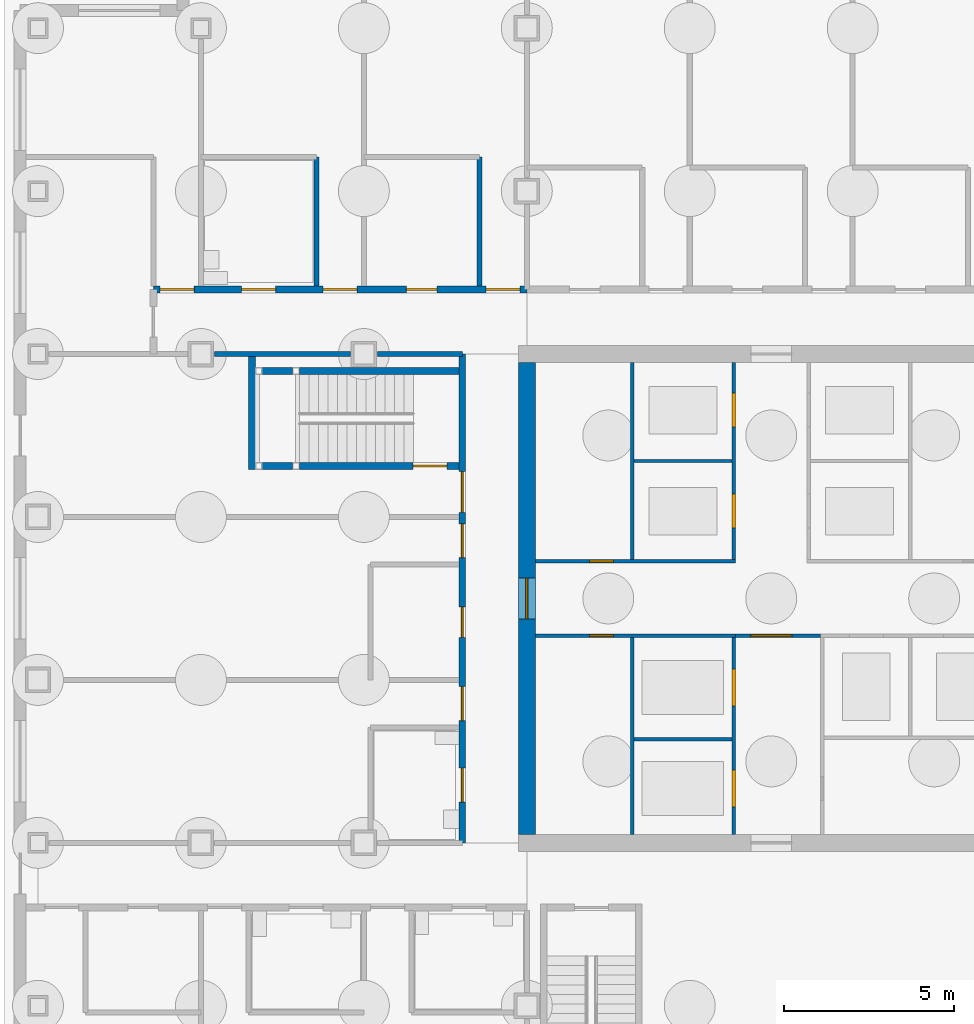
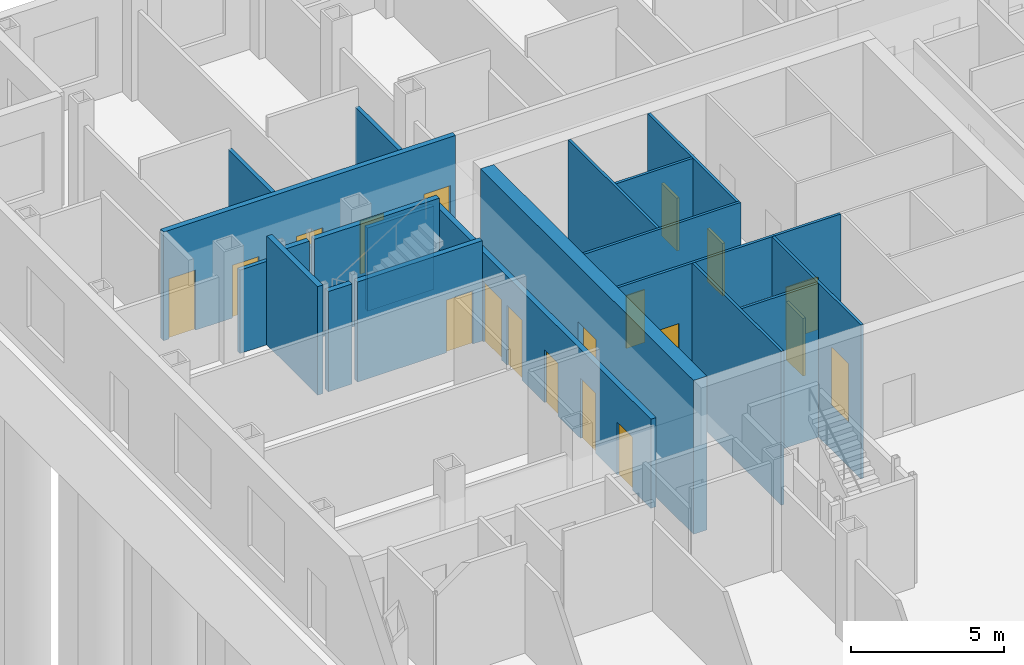
# One storey, part 15 of 22: 21 walls, 19 doors, 19 openings.
"""IFC4 building model written with IfcOpenShell, lengths in metres."""

import ifcopenshell
import ifcopenshell.guid

model = None  # the IFC model being written
_history = None  # IfcOwnerHistory: only IFC2X3 demands one
_inside = {}  # id of a spatial element -> (the spatial element, [elements in it])
_under = {}  # id of a project, library or spatial element -> (it, [spatial elements below it])
_declared = {}  # id of a project -> (the project, [libraries it declares])
_typed = {}  # id of a type object -> (the type object, [elements of that type])
_made_of = {}  # id of a material, layer set ... -> (it, [elements and type objects made of it])


def new_model(schema):
    """Start an empty IFC model of exactly this schema.

    Asked for "IFC4X3", IfcOpenShell would pick the latest addendum, in which some entities
    have other attributes; the version numbers below select the first issue.
    IFC2X3 requires an IfcOwnerHistory on every rooted entity: one is made here for all.
    """
    global model, _history
    if schema == "IFC4X3":
        model = ifcopenshell.file(schema_version=(4, 3, 0, 0))
    else:
        model = ifcopenshell.file(schema=schema)
    _inside.clear()
    _under.clear()
    _declared.clear()
    _typed.clear()
    _made_of.clear()
    _history = None
    if model.schema == "IFC2X3":
        org = make("IfcOrganization", Name="unknown")
        user = make(
            "IfcPersonAndOrganization",
            ThePerson=make("IfcPerson", FamilyName="unknown"),
            TheOrganization=org,
        )
        app = make(
            "IfcApplication",
            ApplicationDeveloper=org,
            Version="unknown",
            ApplicationFullName="unknown",
            ApplicationIdentifier="unknown",
        )
        _history = make(
            "IfcOwnerHistory",
            OwningUser=user,
            OwningApplication=app,
            ChangeAction="ADDED",
            CreationDate=0,
        )
    return model


def make(cls, **values):
    """One entity of the class cls with the attributes given. An attribute that is None is left unset."""
    return model.create_entity(
        cls, **{name: value for name, value in values.items() if value is not None}
    )


def rooted(cls, **values):
    """An entity with a GlobalId (a new one), such as an element, a storey or a relation."""
    return make(cls, GlobalId=ifcopenshell.guid.new(), OwnerHistory=_history, **values)


def si_unit(unit_type, name, prefix=None):
    """IfcSIUnit, for example si_unit("LENGTHUNIT", "METRE", prefix="MILLI")."""
    return make("IfcSIUnit", UnitType=unit_type, Prefix=prefix, Name=name)


def assignment(units):
    """IfcUnitAssignment: the units of a project."""
    return None if units is None else make("IfcUnitAssignment", Units=units)


def point(xyz):
    """IfcCartesianPoint."""
    return None if xyz is None else make("IfcCartesianPoint", Coordinates=xyz)


def direction(xyz):
    """IfcDirection."""
    return None if xyz is None else make("IfcDirection", DirectionRatios=xyz)


def frame(location, z_axis=None, x_axis=None):
    """IfcAxis2Placement3D, a coordinate frame: its origin and axes. An axis left out is left unset."""
    return make(
        "IfcAxis2Placement3D",
        Location=point(location),
        Axis=direction(z_axis),
        RefDirection=direction(x_axis),
    )


def frame_2d(location, x_axis=None):
    """IfcAxis2Placement2D, a coordinate frame in the plane: its origin and x axis."""
    return make(
        "IfcAxis2Placement2D", Location=point(location), RefDirection=direction(x_axis)
    )


def origin():
    """The frame at (0, 0, 0) with its axes left unset."""
    return frame((0.0, 0.0, 0.0))


def place(relative_to, where):
    """IfcLocalPlacement: puts the frame where relative to a parent placement (None: the world)."""
    return make(
        "IfcLocalPlacement", PlacementRelTo=relative_to, RelativePlacement=where
    )


def context(
    kind, dimensions, precision=None, world=None, true_north=None, identifier=None
):
    """IfcGeometricRepresentationContext, for example the 3D "Model" context."""
    return make(
        "IfcGeometricRepresentationContext",
        ContextIdentifier=identifier,
        ContextType=kind,
        CoordinateSpaceDimension=dimensions,
        Precision=precision,
        WorldCoordinateSystem=world,
        TrueNorth=true_north,
    )


def subcontext(parent, identifier, kind, view, scale=None):
    """IfcGeometricRepresentationSubContext, for example "Body" below "Model"."""
    return make(
        "IfcGeometricRepresentationSubContext",
        ContextIdentifier=identifier,
        ContextType=kind,
        ParentContext=parent,
        TargetScale=scale,
        TargetView=view,
    )


def project(units=None, contexts=None):
    """IfcProject with its units and contexts."""
    return rooted(
        "IfcProject",
        Name="project",
        RepresentationContexts=contexts,
        UnitsInContext=assignment(units),
    )


def spatial(cls, under=None, at=None, **own):
    """A site, building, storey or space (cls), placed at a placement, below another one or the project."""
    s = rooted(cls, ObjectPlacement=at, **own)
    if under is not None:
        _under.setdefault(under.id(), (under, []))[1].append(s)
    return s


def profile(cls, at=None, kind="AREA", **sizes):
    """A parametric profile (cls). Its sizes go by their IFC names, for example OverallWidth=200.0."""
    return make(cls, ProfileType=kind, Position=at, **sizes)


def rectangle(**sizes):
    """IfcRectangleProfileDef."""
    return profile("IfcRectangleProfileDef", **sizes)


def extrude(swept, where, along, depth):
    """IfcExtrudedAreaSolid: the profile swept, set in the frame where, extruded along a direction by depth."""
    return make(
        "IfcExtrudedAreaSolid",
        SweptArea=swept,
        Position=where,
        ExtrudedDirection=direction(along),
        Depth=depth,
    )


def shape(context_of_items, identifier, shape_type, items):
    """IfcShapeRepresentation: the items that make up one representation, for example the "Body"."""
    return make(
        "IfcShapeRepresentation",
        ContextOfItems=context_of_items,
        RepresentationIdentifier=identifier,
        RepresentationType=shape_type,
        Items=items,
    )


def material(Name=None, Category=None):
    """IfcMaterial."""
    return make("IfcMaterial", Name=Name, Category=Category)


def layer(
    of_material, thickness, ventilated=None, Name=None, Category=None, Priority=None
):
    """IfcMaterialLayer: one layer of a wall or slab, of a material (None: an air gap)."""
    return make(
        "IfcMaterialLayer",
        Material=of_material,
        LayerThickness=thickness,
        IsVentilated=ventilated,
        Name=Name,
        Category=Category,
        Priority=Priority,
    )


def layer_set(layers, Name=None):
    """IfcMaterialLayerSet."""
    return make("IfcMaterialLayerSet", MaterialLayers=layers, LayerSetName=Name)


def made_of(thing, what):
    """Note that an element or type object is made of a material, layer set ...; save() writes the relation."""
    if what is not None:
        _made_of.setdefault(what.id(), (what, []))[1].append(thing)
    return thing


def type_object(cls, material=None, **own):
    """A type object (cls), such as IfcWallType, which elements share."""
    return made_of(rooted(cls, **own), material)


def element(
    cls,
    number,
    at=None,
    inside=None,
    cuts=None,
    type_object=None,
    material=None,
    context=None,
    identifier="Body",
    shape_type=None,
    held_by="IfcProductDefinitionShape",
    body=None,
    shapes=None,
    **own,
):
    """One element of the class cls, such as IfcWall. Its Tag is "e" and its number.

    at: its placement. inside: the storey or other place that contains it. cuts: it is an
    opening in that element (IfcRelVoidsElement). A single representation is given by context,
    identifier, shape_type and body (its items); several are given by shapes. held_by: the class
    of the entity that holds the representations. save() writes the other relations.
    """
    e = rooted(cls, Tag="e%d" % number, ObjectPlacement=at, **own)
    if body is not None:
        shapes = [shape(context, identifier, shape_type, body)]
    if shapes is not None:
        e.Representation = make(held_by, Representations=shapes)
    if inside is not None:
        _inside.setdefault(inside.id(), (inside, []))[1].append(e)
    if cuts is not None:
        rooted(
            "IfcRelVoidsElement", RelatingBuildingElement=cuts, RelatedOpeningElement=e
        )
    if type_object is not None:
        _typed.setdefault(type_object.id(), (type_object, []))[1].append(e)
    return made_of(e, material)


def fill(opening, filler):
    """IfcRelFillsElement: the door or window that sits in an opening."""
    return rooted(
        "IfcRelFillsElement",
        RelatingOpeningElement=opening,
        RelatedBuildingElement=filler,
    )


def aggregate(whole, parts):
    """IfcRelAggregates: a whole, such as a stair, and the parts it consists of."""
    return rooted("IfcRelAggregates", RelatingObject=whole, RelatedObjects=parts)


def save(model, path):
    """Write the relations noted so far, then the file.

    IfcRelAggregates (storeys below a building ...), IfcRelContainedInSpatialStructure (elements
    in a storey), IfcRelDefinesByType, IfcRelAssociatesMaterial and IfcRelDeclares: one each for
    every whole, place, type object, material and project.
    """
    for whole, parts in _under.values():
        aggregate(whole, parts)
    for where, things in _inside.values():
        rooted(
            "IfcRelContainedInSpatialStructure",
            RelatedElements=things,
            RelatingStructure=where,
        )
    for kind, things in _typed.values():
        rooted("IfcRelDefinesByType", RelatedObjects=things, RelatingType=kind)
    for what, things in _made_of.values():
        rooted("IfcRelAssociatesMaterial", RelatedObjects=things, RelatingMaterial=what)
    for by, libraries in _declared.values():
        rooted("IfcRelDeclares", RelatingContext=by, RelatedDefinitions=libraries)
    model.write(path)


model = new_model("IFC4")

# Units and contexts
model_context = context("Model", 3, precision=1e-05, world=origin(), true_north=direction((0.0, 1.0)))
body_context = subcontext(model_context, "Body", "Model", "MODEL_VIEW")
ifc_project = project(units=[si_unit("LENGTHUNIT", "METRE"), si_unit("AREAUNIT", "SQUARE_METRE"), si_unit("VOLUMEUNIT", "CUBIC_METRE"), si_unit("PLANEANGLEUNIT", "RADIAN"), si_unit("MASSUNIT", "GRAM", prefix="KILO")], contexts=[model_context])

# Site, building, storey
site_placement = place(None, origin())
site = spatial("IfcSite", under=ifc_project, at=site_placement, CompositionType="ELEMENT")
building_placement = place(site_placement, origin())
building = spatial("IfcBuilding", under=site, at=building_placement, Name="Kvirike Care Tower", CompositionType="ELEMENT")
storey_placement = place(building_placement, origin())
storey = spatial("IfcBuildingStorey", under=building, at=storey_placement, Name="L00", CompositionType="ELEMENT", Elevation=0.0)

# Walls
ifc_material_1 = material(Name="Plasterboard partition", Category="gypsum")
ifc_layer_1 = layer(ifc_material_1, 0.14990234375)
ifc_layer_set_1 = layer_set([ifc_layer_1], Name="CLINIC PARTITION 150")
wall_type_1 = type_object("IfcWallType", Name="CLINIC PARTITION 150", PredefinedType="PARTITIONING", material=ifc_layer_set_1)
for number, where, z_axis, x_axis, name in (
    (1, (13.0, 49.0, 0.0), (0.0, 0.0, 1.0), (0.0, -1.0, 0.0), "Clinic Partition 150 L00"),
    (2, (8.199951171875, 49.0, 0.0), (0.0, 0.0, 1.0), (0.0, -1.0, 0.0), "Clinic Partition 150 L00"),
):
    element("IfcWall", number, at=place(storey_placement, frame(where, z_axis=z_axis, x_axis=x_axis)), inside=storey, type_object=wall_type_1, Name=name, PredefinedType="PARTITIONING", context=body_context, shape_type="SweptSolid", body=[
        extrude(rectangle(XDim=3.800048828125, YDim=0.14990234375, at=frame_2d((1.89990234375, 0.0))), origin(), (0.0, 0.0, 1.0), 3.550048828125),
    ])
wall_1_placement = place(storey_placement, frame((12.5, 43.199951171875, 0.0), z_axis=(0.0, 0.0, 1.0), x_axis=(-1.0, 0.0, 0.0)))
element("IfcWall", 3, at=wall_1_placement, inside=storey, type_object=wall_type_1, Name="Clinic Partition 150 L00", PredefinedType="PARTITIONING", context=body_context, shape_type="SweptSolid", body=[
    extrude(rectangle(XDim=2.5048828125, YDim=0.14990234375, at=frame_2d((1.25244140625, 0.0))), origin(), (0.0, 0.0, 1.0), 3.320068359375),
])
wall_2_placement = place(storey_placement, frame((9.205078125, 43.199951171875, 0.0), z_axis=(0.0, 0.0, 1.0), x_axis=(-1.0, 0.0, 0.0)))
element("IfcWall", 4, at=wall_2_placement, inside=storey, type_object=wall_type_1, Name="Clinic Partition 150 L00", PredefinedType="PARTITIONING", context=body_context, shape_type="SweptSolid", body=[
    extrude(rectangle(XDim=4.010009765625, YDim=0.14990234375, at=frame_2d((2.0048828125, 0.0))), origin(), (0.0, 0.0, 1.0), 3.320068359375),
])

# Wall, opening, door
ifc_material_2 = material(Name="Concrete C60/75", Category="concrete")
ifc_layer_2 = layer(ifc_material_2, 0.5)
ifc_layer_set_2 = layer_set([ifc_layer_2], Name="CORE WALL 500 C60-75")
wall_type_2 = type_object("IfcWallType", Name="CORE WALL 500 C60-75", PredefinedType="SHEAR", material=ifc_layer_set_2)
wall_3_placement = place(storey_placement, frame((14.39990234375, 42.949951171875, -1.800048828125), z_axis=(0.0, 0.0, 1.0), x_axis=(0.0, -1.0, 0.0)))
wall_3 = element("IfcWall", 5, at=wall_3_placement, inside=storey, type_object=wall_type_2, Name="Core wall W L00", PredefinedType="SHEAR", context=body_context, shape_type="SweptSolid", body=[
    extrude(rectangle(XDim=13.89990234375, YDim=0.5, at=frame_2d((6.949951171875, 0.0))), origin(), (0.0, 0.0, 1.0), 6.130126953125),
])
opening_1_placement = place(wall_3_placement, frame((6.35009765625, 0.0, 1.800048828125)))
opening_1 = element("IfcOpeningElement", 6, at=opening_1_placement, cuts=wall_3, Name="Opening 00-061", PredefinedType="OPENING", context=body_context, shape_type="SweptSolid", body=[
    extrude(rectangle(XDim=1.199951171875, YDim=2.10009765625, at=frame_2d((0.60009765625, 1.050048828125))), frame((0.0, 0.260498046875, 0.0), z_axis=(0.0, -1.0, 0.0), x_axis=(1.0, 0.0, 0.0)), (0.0, 0.0, 1.0), 0.52099609375),
])
ifc_material_3 = material(Name="Timber door set", Category="wood")
door_type_1 = type_object("IfcDoorType", Name="CORE DOOR 1200", OperationType="SINGLE_SWING_LEFT", PredefinedType="DOOR", material=ifc_material_3)
door_1_placement = place(opening_1_placement, origin())
door_1 = element("IfcDoor", 7, at=door_1_placement, inside=storey, type_object=door_type_1, Name="Core door W L00", OperationType="SINGLE_SWING_LEFT", OverallHeight=2.10009765625, OverallWidth=1.199951171875, PredefinedType="DOOR", context=body_context, shape_type="SweptSolid", body=[
    extrude(rectangle(XDim=1.199951171875, YDim=2.10009765625, at=frame_2d((0.60009765625, 1.050048828125))), frame((0.0, 0.02685546875, 0.0), z_axis=(0.0, -1.0, 0.0), x_axis=(1.0, 0.0, 0.0)), (0.0, 0.0, 1.0), 0.053955078125),
])
fill(opening_1, door_1)

# Wall, openings, doors
ifc_material_4 = material(Name="Plasterboard corridor wall", Category="gypsum")
ifc_layer_3 = layer(ifc_material_4, 0.199951171875)
ifc_layer_set_3 = layer_set([ifc_layer_3], Name="CORRIDOR WALL 200")
wall_type_3 = type_object("IfcWallType", Name="CORRIDOR WALL 200", PredefinedType="PARTITIONING", material=ifc_layer_set_3)
wall_4_placement = place(storey_placement, frame((12.5, 43.199951171875, 0.0), z_axis=(0.0, 0.0, 1.0), x_axis=(0.0, -1.0, 0.0)))
wall_4 = element("IfcWall", 8, at=wall_4_placement, inside=storey, type_object=wall_type_3, Name="Corridor Wall 200 L00", PredefinedType="PARTITIONING", context=body_context, shape_type="SweptSolid", body=[
    extrude(rectangle(XDim=14.39990234375, YDim=0.199951171875, at=frame_2d((7.199951171875, 0.0))), origin(), (0.0, 0.0, 1.0), 3.550048828125),
])
opening_2_placement = place(wall_4_placement, frame((3.46240234375, 0.0, 0.0)))
opening_2 = element("IfcOpeningElement", 9, at=opening_2_placement, cuts=wall_4, Name="Opening 00-008", PredefinedType="OPENING", context=body_context, shape_type="SweptSolid", body=[
    extrude(rectangle(XDim=1.199951171875, YDim=2.39990234375, at=frame_2d((0.60009765625, 1.199951171875))), frame((0.0, 0.110595703125, 0.0), z_axis=(0.0, -1.0, 0.0), x_axis=(1.0, 0.0, 0.0)), (0.0, 0.0, 1.0), 0.220947265625),
])
opening_3_placement = place(wall_4_placement, frame((5.0, 0.0, 0.0)))
opening_3 = element("IfcOpeningElement", 10, at=opening_3_placement, cuts=wall_4, Name="Opening 00-009", PredefinedType="OPENING", context=body_context, shape_type="SweptSolid", body=[
    extrude(rectangle(XDim=1.0, YDim=2.39990234375, at=frame_2d((0.5, 1.199951171875))), frame((0.0, 0.110595703125, 0.0), z_axis=(0.0, -1.0, 0.0), x_axis=(1.0, 0.0, 0.0)), (0.0, 0.0, 1.0), 0.220947265625),
])
opening_4_placement = place(wall_4_placement, frame((9.800048828125, 0.0, 0.0)))
opening_4 = element("IfcOpeningElement", 11, at=opening_4_placement, cuts=wall_4, Name="Opening 00-010", PredefinedType="OPENING", context=body_context, shape_type="SweptSolid", body=[
    extrude(rectangle(XDim=1.0, YDim=2.39990234375, at=frame_2d((0.5, 1.199951171875))), frame((0.0, 0.110595703125, 0.0), z_axis=(0.0, -1.0, 0.0), x_axis=(1.0, 0.0, 0.0)), (0.0, 0.0, 1.0), 0.220947265625),
])
opening_5_placement = place(wall_4_placement, frame((7.449951171875, 0.0, 0.0)))
opening_5 = element("IfcOpeningElement", 12, at=opening_5_placement, cuts=wall_4, Name="Opening 00-011", PredefinedType="OPENING", context=body_context, shape_type="SweptSolid", body=[
    extrude(rectangle(XDim=0.89990234375, YDim=2.10009765625, at=frame_2d((0.449951171875, 1.050048828125))), frame((0.0, 0.110595703125, 0.0), z_axis=(0.0, -1.0, 0.0), x_axis=(1.0, 0.0, 0.0)), (0.0, 0.0, 1.0), 0.220947265625),
])
opening_6_placement = place(wall_4_placement, frame((12.199951171875, 0.0, 0.0)))
opening_6 = element("IfcOpeningElement", 13, at=opening_6_placement, cuts=wall_4, Name="Opening 00-012", PredefinedType="OPENING", context=body_context, shape_type="SweptSolid", body=[
    extrude(rectangle(XDim=1.0, YDim=2.10009765625, at=frame_2d((0.5, 1.050048828125))), frame((0.0, 0.110595703125, 0.0), z_axis=(0.0, -1.0, 0.0), x_axis=(1.0, 0.0, 0.0)), (0.0, 0.0, 1.0), 0.220947265625),
])
ifc_material_5 = material(Name="Timber door set", Category="wood")
door_type_2 = type_object("IfcDoorType", Name="CONSULTING ROOM DOOR 1000", OperationType="SINGLE_SWING_LEFT", PredefinedType="DOOR", material=ifc_material_5)
door_2_placement = place(opening_3_placement, frame((1.0, 0.0, 0.0), z_axis=(0.0, 0.0, 1.0), x_axis=(-1.0, 0.0, 0.0)))
door_2 = element("IfcDoor", 14, at=door_2_placement, inside=storey, type_object=door_type_2, Name="Mail room door", OperationType="SINGLE_SWING_LEFT", OverallHeight=2.39990234375, OverallWidth=1.0, PredefinedType="DOOR", context=body_context, shape_type="SweptSolid", body=[
    extrude(rectangle(XDim=1.0, YDim=2.39990234375, at=frame_2d((0.5, 1.199951171875))), frame((0.0, 0.02685546875, 0.0), z_axis=(0.0, -1.0, 0.0), x_axis=(1.0, 0.0, 0.0)), (0.0, 0.0, 1.0), 0.053955078125),
])
fill(opening_3, door_2)
door_3_placement = place(opening_4_placement, frame((1.0, 0.0, 0.0), z_axis=(0.0, 0.0, 1.0), x_axis=(-1.0, 0.0, 0.0)))
door_3 = element("IfcDoor", 15, at=door_3_placement, inside=storey, type_object=door_type_2, Name="Concierge office door", OperationType="SINGLE_SWING_LEFT", OverallHeight=2.39990234375, OverallWidth=1.0, PredefinedType="DOOR", context=body_context, shape_type="SweptSolid", body=[
    extrude(rectangle(XDim=1.0, YDim=2.39990234375, at=frame_2d((0.5, 1.199951171875))), frame((0.0, 0.02685546875, 0.0), z_axis=(0.0, -1.0, 0.0), x_axis=(1.0, 0.0, 0.0)), (0.0, 0.0, 1.0), 0.053955078125),
])
fill(opening_4, door_3)
ifc_material_6 = material(Name="Timber door set", Category="wood")
door_type_3 = type_object("IfcDoorType", Name="EXIT DOOR 1200", OperationType="SINGLE_SWING_LEFT", PredefinedType="DOOR", material=ifc_material_6)
door_4_placement = place(opening_2_placement, origin())
door_4 = element("IfcDoor", 16, at=door_4_placement, inside=storey, type_object=door_type_3, Name="Exit passage door", OperationType="SINGLE_SWING_RIGHT", OverallHeight=2.39990234375, OverallWidth=1.199951171875, PredefinedType="DOOR", context=body_context, shape_type="SweptSolid", body=[
    extrude(rectangle(XDim=1.199951171875, YDim=2.39990234375, at=frame_2d((0.60009765625, 1.199951171875))), frame((0.0, 0.02685546875, 0.0), z_axis=(0.0, -1.0, 0.0), x_axis=(1.0, 0.0, 0.0)), (0.0, 0.0, 1.0), 0.053955078125),
])
fill(opening_2, door_4)
ifc_material_7 = material(Name="Timber door set", Category="wood")
door_type_4 = type_object("IfcDoorType", Name="STORE DOOR 900", OperationType="SINGLE_SWING_LEFT", PredefinedType="DOOR", material=ifc_material_7)
door_5_placement = place(opening_5_placement, frame((0.89990234375, 0.0, 0.0), z_axis=(0.0, 0.0, 1.0), x_axis=(-1.0, 0.0, 0.0)))
door_5 = element("IfcDoor", 17, at=door_5_placement, inside=storey, type_object=door_type_4, Name="Store door", OperationType="SINGLE_SWING_LEFT", OverallHeight=2.10009765625, OverallWidth=0.89990234375, PredefinedType="DOOR", context=body_context, shape_type="SweptSolid", body=[
    extrude(rectangle(XDim=0.89990234375, YDim=2.10009765625, at=frame_2d((0.449951171875, 1.050048828125))), frame((0.0, 0.02685546875, 0.0), z_axis=(0.0, -1.0, 0.0), x_axis=(1.0, 0.0, 0.0)), (0.0, 0.0, 1.0), 0.053955078125),
])
fill(opening_5, door_5)
ifc_material_8 = material(Name="Timber door set", Category="wood")
door_type_5 = type_object("IfcDoorType", Name="WC DOOR 1000", OperationType="SINGLE_SWING_LEFT", PredefinedType="DOOR", material=ifc_material_8)
door_6_placement = place(opening_6_placement, frame((1.0, 0.0, 0.0), z_axis=(0.0, 0.0, 1.0), x_axis=(-1.0, 0.0, 0.0)))
door_6 = element("IfcDoor", 18, at=door_6_placement, inside=storey, type_object=door_type_5, Name="Staff WC door", OperationType="SINGLE_SWING_RIGHT", OverallHeight=2.10009765625, OverallWidth=1.0, PredefinedType="DOOR", context=body_context, shape_type="SweptSolid", body=[
    extrude(rectangle(XDim=1.0, YDim=2.10009765625, at=frame_2d((0.5, 1.050048828125))), frame((0.0, 0.02685546875, 0.0), z_axis=(0.0, -1.0, 0.0), x_axis=(1.0, 0.0, 0.0)), (0.0, 0.0, 1.0), 0.053955078125),
])
fill(opening_6, door_6)

wall_5_placement = place(storey_placement, frame((14.39990234375, 45.10009765625, 0.0), z_axis=(0.0, 0.0, 1.0), x_axis=(-1.0, 0.0, 0.0)))
wall_5 = element("IfcWall", 19, at=wall_5_placement, inside=storey, type_object=wall_type_3, Name="Corridor Wall 200 L00", PredefinedType="PARTITIONING", context=body_context, shape_type="SweptSolid", body=[
    extrude(rectangle(XDim=11.0, YDim=0.199951171875, at=frame_2d((5.5, 0.0))), origin(), (0.0, 0.0, 1.0), 4.330078125),
])
opening_7_placement = place(wall_5_placement, frame((0.199951171875, 0.0, 0.0)))
opening_7 = element("IfcOpeningElement", 20, at=opening_7_placement, cuts=wall_5, Name="Opening 00-013", PredefinedType="OPENING", context=body_context, shape_type="SweptSolid", body=[
    extrude(rectangle(XDim=1.0, YDim=2.39990234375, at=frame_2d((0.5, 1.199951171875))), frame((0.0, 0.110595703125, 0.0), z_axis=(0.0, -1.0, 0.0), x_axis=(1.0, 0.0, 0.0)), (0.0, 0.0, 1.0), 0.220947265625),
])
opening_8_placement = place(wall_5_placement, frame((5.0, 0.0, 0.0)))
opening_8 = element("IfcOpeningElement", 21, at=opening_8_placement, cuts=wall_5, Name="Opening 00-014", PredefinedType="OPENING", context=body_context, shape_type="SweptSolid", body=[
    extrude(rectangle(XDim=1.0, YDim=2.39990234375, at=frame_2d((0.5, 1.199951171875))), frame((0.0, 0.110595703125, 0.0), z_axis=(0.0, -1.0, 0.0), x_axis=(1.0, 0.0, 0.0)), (0.0, 0.0, 1.0), 0.220947265625),
])
opening_9_placement = place(wall_5_placement, frame((9.800048828125, 0.0, 0.0)))
opening_9 = element("IfcOpeningElement", 22, at=opening_9_placement, cuts=wall_5, Name="Opening 00-015", PredefinedType="OPENING", context=body_context, shape_type="SweptSolid", body=[
    extrude(rectangle(XDim=1.0, YDim=2.39990234375, at=frame_2d((0.5, 1.199951171875))), frame((0.0, 0.110595703125, 0.0), z_axis=(0.0, -1.0, 0.0), x_axis=(1.0, 0.0, 0.0)), (0.0, 0.0, 1.0), 0.220947265625),
])
opening_10_placement = place(wall_5_placement, frame((2.64990234375, 0.0, 0.0)))
opening_10 = element("IfcOpeningElement", 23, at=opening_10_placement, cuts=wall_5, Name="Opening 00-016", PredefinedType="OPENING", context=body_context, shape_type="SweptSolid", body=[
    extrude(rectangle(XDim=0.89990234375, YDim=2.10009765625, at=frame_2d((0.449951171875, 1.050048828125))), frame((0.0, 0.110595703125, 0.0), z_axis=(0.0, -1.0, 0.0), x_axis=(1.0, 0.0, 0.0)), (0.0, 0.0, 1.0), 0.220947265625),
])
opening_11_placement = place(wall_5_placement, frame((7.39990234375, 0.0, 0.0)))
opening_11 = element("IfcOpeningElement", 24, at=opening_11_placement, cuts=wall_5, Name="Opening 00-017", PredefinedType="OPENING", context=body_context, shape_type="SweptSolid", body=[
    extrude(rectangle(XDim=1.0, YDim=2.10009765625, at=frame_2d((0.5, 1.050048828125))), frame((0.0, 0.110595703125, 0.0), z_axis=(0.0, -1.0, 0.0), x_axis=(1.0, 0.0, 0.0)), (0.0, 0.0, 1.0), 0.220947265625),
])
door_7_placement = place(opening_7_placement, frame((1.0, 0.0, 0.0), z_axis=(0.0, 0.0, 1.0), x_axis=(-1.0, 0.0, 0.0)))
door_7 = element("IfcDoor", 25, at=door_7_placement, inside=storey, type_object=door_type_2, Name="Staff changing room door", OperationType="SINGLE_SWING_RIGHT", OverallHeight=2.39990234375, OverallWidth=1.0, PredefinedType="DOOR", context=body_context, shape_type="SweptSolid", body=[
    extrude(rectangle(XDim=1.0, YDim=2.39990234375, at=frame_2d((0.5, 1.199951171875))), frame((0.0, 0.02685546875, 0.0), z_axis=(0.0, -1.0, 0.0), x_axis=(1.0, 0.0, 0.0)), (0.0, 0.0, 1.0), 0.053955078125),
])
fill(opening_7, door_7)
door_8_placement = place(opening_8_placement, frame((1.0, 0.0, 0.0), z_axis=(0.0, 0.0, 1.0), x_axis=(-1.0, 0.0, 0.0)))
door_8 = element("IfcDoor", 26, at=door_8_placement, inside=storey, type_object=door_type_2, Name="Staff changing room door", OperationType="SINGLE_SWING_LEFT", OverallHeight=2.39990234375, OverallWidth=1.0, PredefinedType="DOOR", context=body_context, shape_type="SweptSolid", body=[
    extrude(rectangle(XDim=1.0, YDim=2.39990234375, at=frame_2d((0.5, 1.199951171875))), frame((0.0, 0.02685546875, 0.0), z_axis=(0.0, -1.0, 0.0), x_axis=(1.0, 0.0, 0.0)), (0.0, 0.0, 1.0), 0.053955078125),
])
fill(opening_8, door_8)
door_9_placement = place(opening_9_placement, frame((1.0, 0.0, 0.0), z_axis=(0.0, 0.0, 1.0), x_axis=(-1.0, 0.0, 0.0)))
door_9 = element("IfcDoor", 27, at=door_9_placement, inside=storey, type_object=door_type_2, Name="Staff rest room door", OperationType="SINGLE_SWING_LEFT", OverallHeight=2.39990234375, OverallWidth=1.0, PredefinedType="DOOR", context=body_context, shape_type="SweptSolid", body=[
    extrude(rectangle(XDim=1.0, YDim=2.39990234375, at=frame_2d((0.5, 1.199951171875))), frame((0.0, 0.02685546875, 0.0), z_axis=(0.0, -1.0, 0.0), x_axis=(1.0, 0.0, 0.0)), (0.0, 0.0, 1.0), 0.053955078125),
])
fill(opening_9, door_9)
door_10_placement = place(opening_10_placement, frame((0.89990234375, 0.0, 0.0), z_axis=(0.0, 0.0, 1.0), x_axis=(-1.0, 0.0, 0.0)))
door_10 = element("IfcDoor", 28, at=door_10_placement, inside=storey, type_object=door_type_4, Name="Store door", OperationType="SINGLE_SWING_LEFT", OverallHeight=2.10009765625, OverallWidth=0.89990234375, PredefinedType="DOOR", context=body_context, shape_type="SweptSolid", body=[
    extrude(rectangle(XDim=0.89990234375, YDim=2.10009765625, at=frame_2d((0.449951171875, 1.050048828125))), frame((0.0, 0.02685546875, 0.0), z_axis=(0.0, -1.0, 0.0), x_axis=(1.0, 0.0, 0.0)), (0.0, 0.0, 1.0), 0.053955078125),
])
fill(opening_10, door_10)
door_11_placement = place(opening_11_placement, frame((1.0, 0.0, 0.0), z_axis=(0.0, 0.0, 1.0), x_axis=(-1.0, 0.0, 0.0)))
door_11 = element("IfcDoor", 29, at=door_11_placement, inside=storey, type_object=door_type_5, Name="Staff WC door", OperationType="SINGLE_SWING_RIGHT", OverallHeight=2.10009765625, OverallWidth=1.0, PredefinedType="DOOR", context=body_context, shape_type="SweptSolid", body=[
    extrude(rectangle(XDim=1.0, YDim=2.10009765625, at=frame_2d((0.5, 1.050048828125))), frame((0.0, 0.02685546875, 0.0), z_axis=(0.0, -1.0, 0.0), x_axis=(1.0, 0.0, 0.0)), (0.0, 0.0, 1.0), 0.053955078125),
])
fill(opening_11, door_11)

ifc_material_9 = material(Name="Gypsum shaft wall system", Category="gypsum")
ifc_layer_4 = layer(ifc_material_9, 0.10009765625)
ifc_layer_set_4 = layer_set([ifc_layer_4], Name="SHAFT WALL 100")
wall_type_4 = type_object("IfcWallType", Name="SHAFT WALL 100", PredefinedType="SOLIDWALL", material=ifc_layer_set_4)
wall_6_placement = place(storey_placement, frame((20.5, 29.050048828125, -1.800048828125), z_axis=(0.0, 0.0, 1.0), x_axis=(0.0, 1.0, 0.0)))
wall_6 = element("IfcWall", 30, at=wall_6_placement, inside=storey, type_object=wall_type_4, Name="Shaft Wall 100 L00", PredefinedType="SOLIDWALL", context=body_context, shape_type="SweptSolid", body=[
    extrude(rectangle(XDim=5.800048828125, YDim=0.10009765625, at=frame_2d((2.89990234375, 0.0))), origin(), (0.0, 0.0, 1.0), 6.130126953125),
])
opening_12_placement = place(wall_6_placement, frame((0.800048828125, 0.0, 1.800048828125)))
opening_12 = element("IfcOpeningElement", 31, at=opening_12_placement, cuts=wall_6, Name="Opening 00-044", PredefinedType="OPENING", context=body_context, shape_type="SweptSolid", body=[
    extrude(rectangle(XDim=1.10009765625, YDim=2.300048828125, at=frame_2d((0.550048828125, 1.14990234375))), frame((0.0, 0.060546875, 0.0), z_axis=(0.0, -1.0, 0.0), x_axis=(1.0, 0.0, 0.0)), (0.0, 0.0, 1.0), 0.12109375),
])
opening_13_placement = place(wall_6_placement, frame((3.77490234375, 0.0, 1.800048828125)))
opening_13 = element("IfcOpeningElement", 32, at=opening_13_placement, cuts=wall_6, Name="Opening 00-045", PredefinedType="OPENING", context=body_context, shape_type="SweptSolid", body=[
    extrude(rectangle(XDim=1.10009765625, YDim=2.300048828125, at=frame_2d((0.550048828125, 1.14990234375))), frame((0.0, 0.060546875, 0.0), z_axis=(0.0, -1.0, 0.0), x_axis=(1.0, 0.0, 0.0)), (0.0, 0.0, 1.0), 0.12109375),
])
ifc_material_10 = material(Name="Aluminium door frame", Category="aluminium")
door_type_6 = type_object("IfcDoorType", Name="FIRE-FIGHTING LIFT LANDING DOOR 1100", OperationType="SLIDING_TO_LEFT", PredefinedType="DOOR", material=ifc_material_10)
door_12_placement = place(opening_12_placement, origin())
door_12 = element("IfcDoor", 33, at=door_12_placement, inside=storey, type_object=door_type_6, Name="Lift FF1 landing door", OperationType="SLIDING_TO_LEFT", OverallHeight=2.300048828125, OverallWidth=1.10009765625, PredefinedType="DOOR", context=body_context, shape_type="SweptSolid", body=[
    extrude(rectangle(XDim=1.10009765625, YDim=2.300048828125, at=frame_2d((0.550048828125, 1.14990234375))), frame((0.0, 0.0498046875, 0.0), z_axis=(0.0, -1.0, 0.0), x_axis=(1.0, 0.0, 0.0)), (0.0, 0.0, 1.0), 0.099609375),
])
fill(opening_12, door_12)
door_13_placement = place(opening_13_placement, origin())
door_13 = element("IfcDoor", 34, at=door_13_placement, inside=storey, type_object=door_type_6, Name="Lift FF2 landing door", OperationType="SLIDING_TO_LEFT", OverallHeight=2.300048828125, OverallWidth=1.10009765625, PredefinedType="DOOR", context=body_context, shape_type="SweptSolid", body=[
    extrude(rectangle(XDim=1.10009765625, YDim=2.300048828125, at=frame_2d((0.550048828125, 1.14990234375))), frame((0.0, 0.0498046875, 0.0), z_axis=(0.0, -1.0, 0.0), x_axis=(1.0, 0.0, 0.0)), (0.0, 0.0, 1.0), 0.099609375),
])
fill(opening_13, door_13)

wall_7_placement = place(storey_placement, frame((20.5, 37.14990234375, -1.800048828125), z_axis=(0.0, 0.0, 1.0), x_axis=(0.0, 1.0, 0.0)))
wall_7 = element("IfcWall", 35, at=wall_7_placement, inside=storey, type_object=wall_type_4, Name="Shaft Wall 100 L00", PredefinedType="SOLIDWALL", context=body_context, shape_type="SweptSolid", body=[
    extrude(rectangle(XDim=5.800048828125, YDim=0.10009765625, at=frame_2d((2.89990234375, 0.0))), origin(), (0.0, 0.0, 1.0), 6.130126953125),
])
opening_14_placement = place(wall_7_placement, frame((0.925048828125, 0.0, 1.800048828125)))
opening_14 = element("IfcOpeningElement", 36, at=opening_14_placement, cuts=wall_7, Name="Opening 00-046", PredefinedType="OPENING", context=body_context, shape_type="SweptSolid", body=[
    extrude(rectangle(XDim=1.0, YDim=2.10009765625, at=frame_2d((0.5, 1.050048828125))), frame((0.0, 0.060546875, 0.0), z_axis=(0.0, -1.0, 0.0), x_axis=(1.0, 0.0, 0.0)), (0.0, 0.0, 1.0), 0.12109375),
])
opening_15_placement = place(wall_7_placement, frame((3.89990234375, 0.0, 1.800048828125)))
opening_15 = element("IfcOpeningElement", 37, at=opening_15_placement, cuts=wall_7, Name="Opening 00-047", PredefinedType="OPENING", context=body_context, shape_type="SweptSolid", body=[
    extrude(rectangle(XDim=1.0, YDim=2.10009765625, at=frame_2d((0.5, 1.050048828125))), frame((0.0, 0.060546875, 0.0), z_axis=(0.0, -1.0, 0.0), x_axis=(1.0, 0.0, 0.0)), (0.0, 0.0, 1.0), 0.12109375),
])
ifc_material_11 = material(Name="Aluminium door frame", Category="aluminium")
door_type_7 = type_object("IfcDoorType", Name="LIFT LANDING DOOR 1000", OperationType="SLIDING_TO_LEFT", PredefinedType="DOOR", material=ifc_material_11)
door_14_placement = place(opening_14_placement, origin())
door_14 = element("IfcDoor", 38, at=door_14_placement, inside=storey, type_object=door_type_7, Name="Lift P1 landing door", OperationType="SLIDING_TO_LEFT", OverallHeight=2.10009765625, OverallWidth=1.0, PredefinedType="DOOR", context=body_context, shape_type="SweptSolid", body=[
    extrude(rectangle(XDim=1.0, YDim=2.10009765625, at=frame_2d((0.5, 1.050048828125))), frame((0.0, 0.0498046875, 0.0), z_axis=(0.0, -1.0, 0.0), x_axis=(1.0, 0.0, 0.0)), (0.0, 0.0, 1.0), 0.099609375),
])
fill(opening_14, door_14)
door_15_placement = place(opening_15_placement, origin())
door_15 = element("IfcDoor", 39, at=door_15_placement, inside=storey, type_object=door_type_7, Name="Lift P2 landing door", OperationType="SLIDING_TO_LEFT", OverallHeight=2.10009765625, OverallWidth=1.0, PredefinedType="DOOR", context=body_context, shape_type="SweptSolid", body=[
    extrude(rectangle(XDim=1.0, YDim=2.10009765625, at=frame_2d((0.5, 1.050048828125))), frame((0.0, 0.0498046875, 0.0), z_axis=(0.0, -1.0, 0.0), x_axis=(1.0, 0.0, 0.0)), (0.0, 0.0, 1.0), 0.099609375),
])
fill(opening_15, door_15)

# Wall, opening, door
wall_8_placement = place(storey_placement, frame((14.64990234375, 34.89990234375, -1.800048828125), z_axis=(0.0, 0.0, 1.0), x_axis=(1.0, 0.0, 0.0)))
wall_8 = element("IfcWall", 40, at=wall_8_placement, inside=storey, type_object=wall_type_4, Name="Shaft Wall 100 L00", PredefinedType="SOLIDWALL", context=body_context, shape_type="SweptSolid", body=[
    extrude(rectangle(XDim=5.900146484375, YDim=0.10009765625, at=frame_2d((2.9501953125, 0.0))), origin(), (0.0, 0.0, 1.0), 6.130126953125),
])
opening_16_placement = place(wall_8_placement, frame((1.60009765625, 0.0, 1.800048828125)))
opening_16 = element("IfcOpeningElement", 41, at=opening_16_placement, cuts=wall_8, Name="Opening 00-051", PredefinedType="OPENING", context=body_context, shape_type="SweptSolid", body=[
    extrude(rectangle(XDim=0.699951171875, YDim=2.10009765625, at=frame_2d((0.35009765625, 1.050048828125))), frame((0.0, 0.060546875, 0.0), z_axis=(0.0, -1.0, 0.0), x_axis=(1.0, 0.0, 0.0)), (0.0, 0.0, 1.0), 0.12109375),
])
ifc_material_12 = material(Name="Timber door set", Category="wood")
door_type_8 = type_object("IfcDoorType", Name="RISER DOOR 700", OperationType="SINGLE_SWING_LEFT", PredefinedType="DOOR", material=ifc_material_12)
door_16_placement = place(opening_16_placement, frame((0.699951171875, 0.0, 0.0), z_axis=(0.0, 0.0, 1.0), x_axis=(-1.0, 0.0, 0.0)))
door_16 = element("IfcDoor", 42, at=door_16_placement, inside=storey, type_object=door_type_8, Name="Riser door", OperationType="SINGLE_SWING_RIGHT", OverallHeight=2.10009765625, OverallWidth=0.699951171875, PredefinedType="DOOR", context=body_context, shape_type="SweptSolid", body=[
    extrude(rectangle(XDim=0.699951171875, YDim=2.10009765625, at=frame_2d((0.35009765625, 1.050048828125))), frame((0.0, 0.02685546875, 0.0), z_axis=(0.0, -1.0, 0.0), x_axis=(1.0, 0.0, 0.0)), (0.0, 0.0, 1.0), 0.053955078125),
])
fill(opening_16, door_16)

wall_9_placement = place(storey_placement, frame((14.64990234375, 37.10009765625, -1.800048828125), z_axis=(0.0, 0.0, 1.0), x_axis=(1.0, 0.0, 0.0)))
wall_9 = element("IfcWall", 43, at=wall_9_placement, inside=storey, type_object=wall_type_4, Name="Shaft Wall 100 L00", PredefinedType="SOLIDWALL", context=body_context, shape_type="SweptSolid", body=[
    extrude(rectangle(XDim=5.900146484375, YDim=0.10009765625, at=frame_2d((2.9501953125, 0.0))), origin(), (0.0, 0.0, 1.0), 6.130126953125),
])
opening_17_placement = place(wall_9_placement, frame((1.60009765625, 0.0, 1.800048828125)))
opening_17 = element("IfcOpeningElement", 44, at=opening_17_placement, cuts=wall_9, Name="Opening 00-054", PredefinedType="OPENING", context=body_context, shape_type="SweptSolid", body=[
    extrude(rectangle(XDim=0.699951171875, YDim=2.10009765625, at=frame_2d((0.35009765625, 1.050048828125))), frame((0.0, 0.060546875, 0.0), z_axis=(0.0, -1.0, 0.0), x_axis=(1.0, 0.0, 0.0)), (0.0, 0.0, 1.0), 0.12109375),
])
door_17_placement = place(opening_17_placement, origin())
door_17 = element("IfcDoor", 45, at=door_17_placement, inside=storey, type_object=door_type_8, Name="Riser door", OperationType="SINGLE_SWING_LEFT", OverallHeight=2.10009765625, OverallWidth=0.699951171875, PredefinedType="DOOR", context=body_context, shape_type="SweptSolid", body=[
    extrude(rectangle(XDim=0.699951171875, YDim=2.10009765625, at=frame_2d((0.35009765625, 1.050048828125))), frame((0.0, 0.02685546875, 0.0), z_axis=(0.0, -1.0, 0.0), x_axis=(1.0, 0.0, 0.0)), (0.0, 0.0, 1.0), 0.053955078125),
])
fill(opening_17, door_17)

wall_10_placement = place(storey_placement, frame((20.550048828125, 34.89990234375, -1.800048828125), z_axis=(0.0, 0.0, 1.0), x_axis=(1.0, 0.0, 0.0)))
wall_10 = element("IfcWall", 46, at=wall_10_placement, inside=storey, type_object=wall_type_4, Name="Shaft Wall 100 L00", PredefinedType="SOLIDWALL", context=body_context, shape_type="SweptSolid", body=[
    extrude(rectangle(XDim=2.5, YDim=0.10009765625, at=frame_2d((1.25, 0.0))), origin(), (0.0, 0.0, 1.0), 6.130126953125),
])
opening_18_placement = place(wall_10_placement, frame((0.449951171875, 0.0, 1.800048828125)))
opening_18 = element("IfcOpeningElement", 47, at=opening_18_placement, cuts=wall_10, Name="Opening 00-056", PredefinedType="OPENING", context=body_context, shape_type="SweptSolid", body=[
    extrude(rectangle(XDim=1.199951171875, YDim=2.10009765625, at=frame_2d((0.60009765625, 1.050048828125))), frame((0.0, 0.060546875, 0.0), z_axis=(0.0, -1.0, 0.0), x_axis=(1.0, 0.0, 0.0)), (0.0, 0.0, 1.0), 0.12109375),
])
door_18_placement = place(opening_18_placement, frame((1.199951171875, 0.0, 0.0), z_axis=(0.0, 0.0, 1.0), x_axis=(-1.0, 0.0, 0.0)))
door_18 = element("IfcDoor", 48, at=door_18_placement, inside=storey, type_object=door_type_1, Name="Fire-fighting lobby door", OperationType="SINGLE_SWING_LEFT", OverallHeight=2.10009765625, OverallWidth=1.199951171875, PredefinedType="DOOR", context=body_context, shape_type="SweptSolid", body=[
    extrude(rectangle(XDim=1.199951171875, YDim=2.10009765625, at=frame_2d((0.60009765625, 1.050048828125))), frame((0.0, 0.02685546875, 0.0), z_axis=(0.0, -1.0, 0.0), x_axis=(1.0, 0.0, 0.0)), (0.0, 0.0, 1.0), 0.053955078125),
])
fill(opening_18, door_18)

# Walls
wall_11_placement = place(storey_placement, frame((17.5, 29.050048828125, -1.800048828125), z_axis=(0.0, 0.0, 1.0), x_axis=(0.0, 1.0, 0.0)))
element("IfcWall", 49, at=wall_11_placement, inside=storey, type_object=wall_type_4, Name="Shaft Wall 100 L00", PredefinedType="SOLIDWALL", context=body_context, shape_type="SweptSolid", body=[
    extrude(rectangle(XDim=5.800048828125, YDim=0.10009765625, at=frame_2d((2.89990234375, 0.0))), origin(), (0.0, 0.0, 1.0), 6.130126953125),
])
wall_12_placement = place(storey_placement, frame((17.550048828125, 31.85009765625, -1.800048828125), z_axis=(0.0, 0.0, 1.0), x_axis=(1.0, 0.0, 0.0)))
element("IfcWall", 50, at=wall_12_placement, inside=storey, type_object=wall_type_4, Name="Shaft Wall 100 L00", PredefinedType="SOLIDWALL", context=body_context, shape_type="SweptSolid", body=[
    extrude(rectangle(XDim=2.89990234375, YDim=0.10009765625, at=frame_2d((1.449951171875, 0.0))), origin(), (0.0, 0.0, 1.0), 6.130126953125),
])
wall_13_placement = place(storey_placement, frame((17.5, 37.14990234375, -1.800048828125), z_axis=(0.0, 0.0, 1.0), x_axis=(0.0, 1.0, 0.0)))
element("IfcWall", 51, at=wall_13_placement, inside=storey, type_object=wall_type_4, Name="Shaft Wall 100 L00", PredefinedType="SOLIDWALL", context=body_context, shape_type="SweptSolid", body=[
    extrude(rectangle(XDim=5.800048828125, YDim=0.10009765625, at=frame_2d((2.89990234375, 0.0))), origin(), (0.0, 0.0, 1.0), 6.130126953125),
])
wall_14_placement = place(storey_placement, frame((17.550048828125, 40.050048828125, -1.800048828125), z_axis=(0.0, 0.0, 1.0), x_axis=(1.0, 0.0, 0.0)))
element("IfcWall", 52, at=wall_14_placement, inside=storey, type_object=wall_type_4, Name="Shaft Wall 100 L00", PredefinedType="SOLIDWALL", context=body_context, shape_type="SweptSolid", body=[
    extrude(rectangle(XDim=2.89990234375, YDim=0.10009765625, at=frame_2d((1.449951171875, 0.0))), origin(), (0.0, 0.0, 1.0), 6.130126953125),
])
ifc_material_13 = material(Name="Concrete C40/50", Category="concrete")
ifc_layer_5 = layer(ifc_material_13, 0.199951171875)
ifc_layer_set_5 = layer_set([ifc_layer_5], Name="STAIR WALL 200")
wall_type_5 = type_object("IfcWallType", Name="STAIR WALL 200", PredefinedType="SOLIDWALL", material=ifc_layer_set_5)
wall_15_placement = place(storey_placement, frame((6.60009765625, 42.699951171875, 0.0), z_axis=(0.0, 0.0, 1.0), x_axis=(1.0, 0.0, 0.0)))
element("IfcWall", 53, at=wall_15_placement, inside=storey, type_object=wall_type_5, Name="Stair Wall 200 L00", PredefinedType="SOLIDWALL", context=body_context, shape_type="SweptSolid", body=[
    extrude(rectangle(XDim=0.89990234375, YDim=0.199951171875, at=frame_2d((0.449951171875, 0.0))), origin(), (0.0, 0.0, 1.0), 3.989990234375),
])
wall_16_placement = place(storey_placement, frame((7.699951171875, 42.699951171875, 0.0), z_axis=(0.0, 0.0, 1.0), x_axis=(1.0, 0.0, 0.0)))
element("IfcWall", 54, at=wall_16_placement, inside=storey, type_object=wall_type_5, Name="Stair Wall 200 L00", PredefinedType="SOLIDWALL", context=body_context, shape_type="SweptSolid", body=[
    extrude(rectangle(XDim=4.699951171875, YDim=0.199951171875, at=frame_2d((2.35009765625, 0.0))), origin(), (0.0, 0.0, 1.0), 3.989990234375),
])
wall_17_placement = place(storey_placement, frame((6.60009765625, 39.89990234375, 0.0), z_axis=(0.0, 0.0, 1.0), x_axis=(1.0, 0.0, 0.0)))
element("IfcWall", 55, at=wall_17_placement, inside=storey, type_object=wall_type_5, Name="Stair Wall 200 L00", PredefinedType="SOLIDWALL", context=body_context, shape_type="SweptSolid", body=[
    extrude(rectangle(XDim=0.89990234375, YDim=0.199951171875, at=frame_2d((0.449951171875, 0.0))), origin(), (0.0, 0.0, 1.0), 3.989990234375),
])

# Wall, opening, door
wall_18_placement = place(storey_placement, frame((7.699951171875, 39.89990234375, 0.0), z_axis=(0.0, 0.0, 1.0), x_axis=(1.0, 0.0, 0.0)))
wall_18 = element("IfcWall", 56, at=wall_18_placement, inside=storey, type_object=wall_type_5, Name="Stair Wall 200 L00", PredefinedType="SOLIDWALL", context=body_context, shape_type="SweptSolid", body=[
    extrude(rectangle(XDim=4.699951171875, YDim=0.199951171875, at=frame_2d((2.35009765625, 0.0))), origin(), (0.0, 0.0, 1.0), 3.989990234375),
])
opening_19_placement = place(wall_18_placement, frame((3.35009765625, 0.0, 0.0)))
opening_19 = element("IfcOpeningElement", 57, at=opening_19_placement, cuts=wall_18, Name="Opening 00-007", PredefinedType="OPENING", context=body_context, shape_type="SweptSolid", body=[
    extrude(rectangle(XDim=1.0, YDim=2.10009765625, at=frame_2d((0.5, 1.050048828125))), frame((0.0, 0.110595703125, 0.0), z_axis=(0.0, -1.0, 0.0), x_axis=(1.0, 0.0, 0.0)), (0.0, 0.0, 1.0), 0.220947265625),
])
ifc_material_14 = material(Name="Timber door set", Category="wood")
door_type_9 = type_object("IfcDoorType", Name="STAIR DOOR 1000", OperationType="SINGLE_SWING_LEFT", PredefinedType="DOOR", material=ifc_material_14)
door_19_placement = place(opening_19_placement, origin())
door_19 = element("IfcDoor", 58, at=door_19_placement, inside=storey, type_object=door_type_9, Name="Stair 1 door", OperationType="SINGLE_SWING_LEFT", OverallHeight=2.10009765625, OverallWidth=1.0, PredefinedType="DOOR", context=body_context, shape_type="SweptSolid", body=[
    extrude(rectangle(XDim=1.0, YDim=2.10009765625, at=frame_2d((0.5, 1.050048828125))), frame((0.0, 0.031982421875, 0.0), z_axis=(0.0, -1.0, 0.0), x_axis=(1.0, 0.0, 0.0)), (0.0, 0.0, 1.0), 0.06396484375),
])
fill(opening_19, door_19)

# Wall
wall_19_placement = place(storey_placement, frame((6.300048828125, 43.125, 0.0), z_axis=(0.0, 0.0, 1.0), x_axis=(0.0, -1.0, 0.0)))
element("IfcWall", 59, at=wall_19_placement, inside=storey, type_object=wall_type_5, Name="Stair Wall 200 L00", PredefinedType="SOLIDWALL", context=body_context, shape_type="SweptSolid", body=[
    extrude(rectangle(XDim=3.324951171875, YDim=0.199951171875, at=frame_2d((1.66259765625, 0.0))), origin(), (0.0, 0.0, 1.0), 4.330078125),
])

save(model, "model.ifc")
